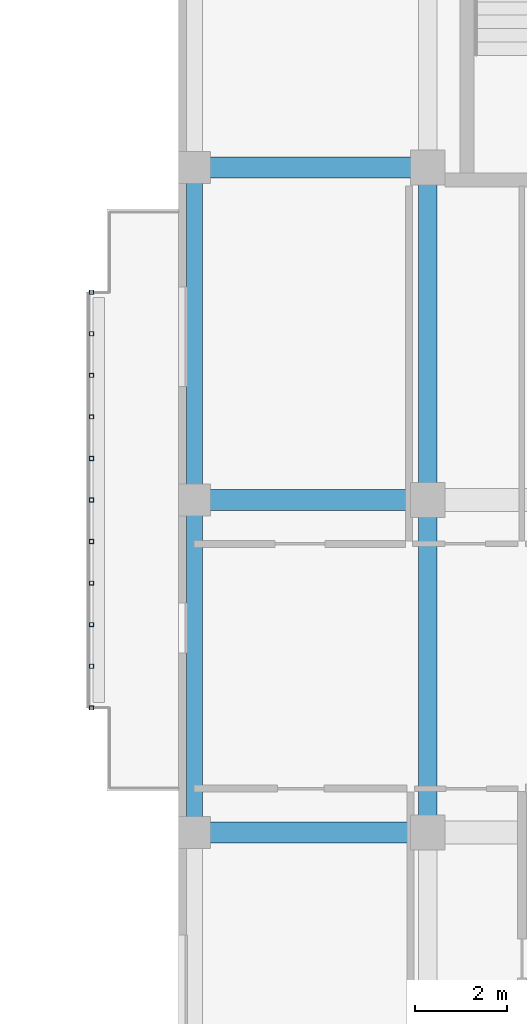
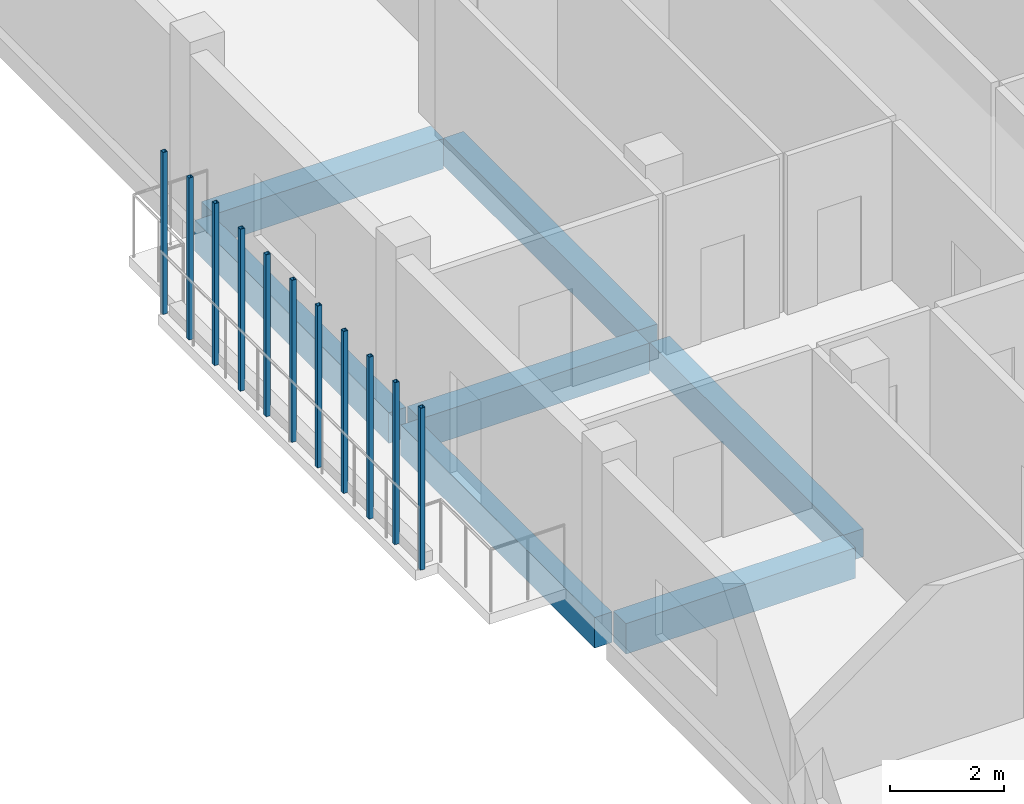
# One storey, part 27 of 73: 11 members, 7 beams.
"""IFC4 building model written with IfcOpenShell, lengths in metres."""

from ifc_helpers import new_model, si_unit, derived_unit, direction, frame, origin, origin_2d, place, context, subcontext, project, spatial, rectangle, hollow_rectangle, extrude, material, material_profile, profile_set, type_object, element, save


model = new_model("IFC4")

# Units and contexts
model_context = context("Model", 3, precision=1e-05, world=origin(), true_north=direction((0.0, 1.0)))
body_context = subcontext(model_context, "Body", "Model", "MODEL_VIEW")
ifc_project = project(units=[si_unit("LENGTHUNIT", "METRE"), si_unit("AREAUNIT", "SQUARE_METRE"), si_unit("VOLUMEUNIT", "CUBIC_METRE"), si_unit("PLANEANGLEUNIT", "RADIAN"), si_unit("MASSUNIT", "GRAM", prefix="KILO"), derived_unit("THERMALTRANSMITTANCEUNIT", [(si_unit("MASSUNIT", "GRAM", prefix="KILO"), 1), (si_unit("TIMEUNIT", "SECOND"), -3), (si_unit("THERMODYNAMICTEMPERATUREUNIT", "KELVIN"), -1)])], contexts=[model_context])

# Site, building, storey
site_placement = place(None, origin())
site = spatial("IfcSite", under=ifc_project, at=site_placement, CompositionType="ELEMENT")
building_placement = place(site_placement, origin())
building = spatial("IfcBuilding", under=site, at=building_placement, Name="Ochrekiln Boulevard Commons", CompositionType="ELEMENT")
storey_placement = place(building_placement, frame((0.0, 0.0, 4.89990234375)))
storey = spatial("IfcBuildingStorey", under=building, at=storey_placement, Name="L01", CompositionType="ELEMENT", Elevation=4.89990234375)

# Beams
ifc_material_1 = material(Name="Concrete C35/45", Category="concrete")
ifc_material_profile_1 = material_profile(ifc_material_1, rectangle(XDim=0.39990234375, YDim=0.60009765625, at=origin_2d()), Name="RC-BM-400x600")
ifc_profile_set_1 = profile_set([ifc_material_profile_1], Name="Concrete C35/45")
beam_type_1 = type_object("IfcBeamType", Name="BM-RC-400x600", PredefinedType="BEAM", material=ifc_profile_set_1)
beam_1_placement = place(storey_placement, frame((156.60009765625, 97.409912109375, -0.559814453125), z_axis=(0.0, 1.0, 0.0), x_axis=(-1.0, 0.0, 0.0)))
element("IfcBeam", 1, at=beam_1_placement, inside=storey, type_object=beam_type_1, Name="Block B L01 Beam B-4060 Y34", PredefinedType="BEAM", context=body_context, shape_type="SweptSolid", body=[
    extrude(rectangle(XDim=0.39990234375, YDim=0.60009765625, at=origin_2d()), origin(), (0.0, 0.0, 1.0), 6.780029296875),
])
beam_2_placement = place(storey_placement, frame((156.60009765625, 104.610107421875, -0.559814453125), z_axis=(0.0, 1.0, 0.0), x_axis=(-1.0, 0.0, 0.0)))
element("IfcBeam", 2, at=beam_2_placement, inside=storey, type_object=beam_type_1, Name="Block B L01 Beam B-4060 Y35", PredefinedType="BEAM", context=body_context, shape_type="SweptSolid", body=[
    extrude(rectangle(XDim=0.39990234375, YDim=0.60009765625, at=origin_2d()), origin(), (0.0, 0.0, 1.0), 6.77978515625),
])
ifc_material_profile_2 = material_profile(ifc_material_1, rectangle(XDim=0.449951171875, YDim=0.64990234375, at=origin_2d()), Name="RC-BM-450x650")
ifc_profile_set_2 = profile_set([ifc_material_profile_2], Name="Concrete C35/45")
beam_type_2 = type_object("IfcBeamType", Name="BM-RC-450x650", PredefinedType="BEAM", material=ifc_profile_set_2)
for number, where, z_axis, x_axis, name in (
    (3, (151.760009765625, 97.199951171875, -0.5849609375), (1.0, 0.0, 0.0), (0.0, 1.0, 0.0), "Block B L01 Beam B-4565 X12"),
    (4, (151.760009765625, 104.39990234375, -0.5849609375), (1.0, 0.0, 0.0), (0.0, 1.0, 0.0), "Block B L01 Beam B-4565 X15"),
    (5, (151.760009765625, 111.60009765625, -0.5849609375), (1.0, 0.0, 0.0), (0.0, 1.0, 0.0), "Block B L01 Beam B-4565 X18"),
):
    element("IfcBeam", number, at=place(storey_placement, frame(where, z_axis=z_axis, x_axis=x_axis)), inside=storey, type_object=beam_type_2, Name=name, PredefinedType="BEAM", context=body_context, shape_type="SweptSolid", body=[
        extrude(rectangle(XDim=0.449951171875, YDim=0.64990234375, at=origin_2d()), origin(), (0.0, 0.0, 1.0), 4.6298828125),
    ])

# Members
ifc_material_2 = material(Name="Steel A500 Grade C", Category="steel")
ifc_material_profile_3 = material_profile(ifc_material_2, hollow_rectangle(XDim=0.090087890625, YDim=0.090087890625, WallThickness=0.00634765625, at=origin_2d()), Name="HSS90X90X6.4")
ifc_profile_set_3 = profile_set([ifc_material_profile_3], Name="Steel A500 Grade C")
member_type = type_object("IfcMemberType", Name="MEM-PST-HSS90", PredefinedType="POST", material=ifc_profile_set_3)
for number, where, z_axis, x_axis, name in (
    (6, (149.320068359375, 99.89990234375, 0.0), (0.0, 0.0, 1.0), (1.0, 0.0, 0.0), "Block B L01 Slim Vertical Balcony Post (166)"),
    (7, (149.320068359375, 100.800048828125, 0.0), (0.0, 0.0, 1.0), (1.0, 0.0, 0.0), "Block B L01 Slim Vertical Balcony Post (167)"),
    (8, (149.320068359375, 101.699951171875, 0.0), (0.0, 0.0, 1.0), (1.0, 0.0, 0.0), "Block B L01 Slim Vertical Balcony Post (168)"),
    (9, (149.320068359375, 102.60009765625, 0.0), (0.0, 0.0, 1.0), (1.0, 0.0, 0.0), "Block B L01 Slim Vertical Balcony Post (169)"),
    (10, (149.320068359375, 103.5, 0.0), (0.0, 0.0, 1.0), (1.0, 0.0, 0.0), "Block B L01 Slim Vertical Balcony Post (170)"),
    (11, (149.320068359375, 104.39990234375, 0.0), (0.0, 0.0, 1.0), (1.0, 0.0, 0.0), "Block B L01 Slim Vertical Balcony Post (171)"),
    (12, (149.320068359375, 105.300048828125, 0.0), (0.0, 0.0, 1.0), (1.0, 0.0, 0.0), "Block B L01 Slim Vertical Balcony Post (172)"),
    (13, (149.320068359375, 106.199951171875, 0.0), (0.0, 0.0, 1.0), (1.0, 0.0, 0.0), "Block B L01 Slim Vertical Balcony Post (173)"),
    (14, (149.320068359375, 107.10009765625, 0.0), (0.0, 0.0, 1.0), (1.0, 0.0, 0.0), "Block B L01 Slim Vertical Balcony Post (174)"),
    (15, (149.320068359375, 108.0, 0.0), (0.0, 0.0, 1.0), (1.0, 0.0, 0.0), "Block B L01 Slim Vertical Balcony Post (175)"),
    (16, (149.320068359375, 108.89990234375, 0.0), (0.0, 0.0, 1.0), (1.0, 0.0, 0.0), "Block B L01 Slim Vertical Balcony Post (176)"),
):
    element("IfcMember", number, at=place(storey_placement, frame(where, z_axis=z_axis, x_axis=x_axis)), inside=storey, type_object=member_type, Name=name, PredefinedType="POST", context=body_context, shape_type="SweptSolid", body=[
        extrude(hollow_rectangle(XDim=0.090087890625, YDim=0.090087890625, WallThickness=0.00634765625, at=origin_2d()), origin(), (0.0, 0.0, 1.0), 3.455078125),
    ])

# Beams
ifc_material_3 = material(Name="Concrete C40/50", Category="concrete")
ifc_material_profile_4 = material_profile(ifc_material_3, rectangle(XDim=0.35009765625, YDim=0.64990234375, at=origin_2d()), Name="RC-SPN-350x650")
ifc_profile_set_4 = profile_set([ifc_material_profile_4], Name="Concrete C40/50")
beam_type_3 = type_object("IfcBeamType", Name="SPN-RC-350x650", PredefinedType="SPANDREL", material=ifc_profile_set_4)
beam_3_placement = place(storey_placement, frame((151.550048828125, 97.409912109375, -0.5849609375), z_axis=(0.0, 1.0, 0.0), x_axis=(-1.0, 0.0, 0.0)))
element("IfcBeam", 17, at=beam_3_placement, inside=storey, type_object=beam_type_3, Name="Block B L01 Beam SP-3565 Y27", PredefinedType="SPANDREL", context=body_context, shape_type="SweptSolid", body=[
    extrude(rectangle(XDim=0.35009765625, YDim=0.64990234375, at=origin_2d()), origin(), (0.0, 0.0, 1.0), 6.780029296875),
])
beam_4_placement = place(storey_placement, frame((151.550048828125, 104.610107421875, -0.5849609375), z_axis=(0.0, 1.0, 0.0), x_axis=(-1.0, 0.0, 0.0)))
element("IfcBeam", 18, at=beam_4_placement, inside=storey, type_object=beam_type_3, Name="Block B L01 Beam SP-3565 Y28", PredefinedType="SPANDREL", context=body_context, shape_type="SweptSolid", body=[
    extrude(rectangle(XDim=0.35009765625, YDim=0.64990234375, at=origin_2d()), origin(), (0.0, 0.0, 1.0), 6.77978515625),
])

save(model, "model.ifc")
